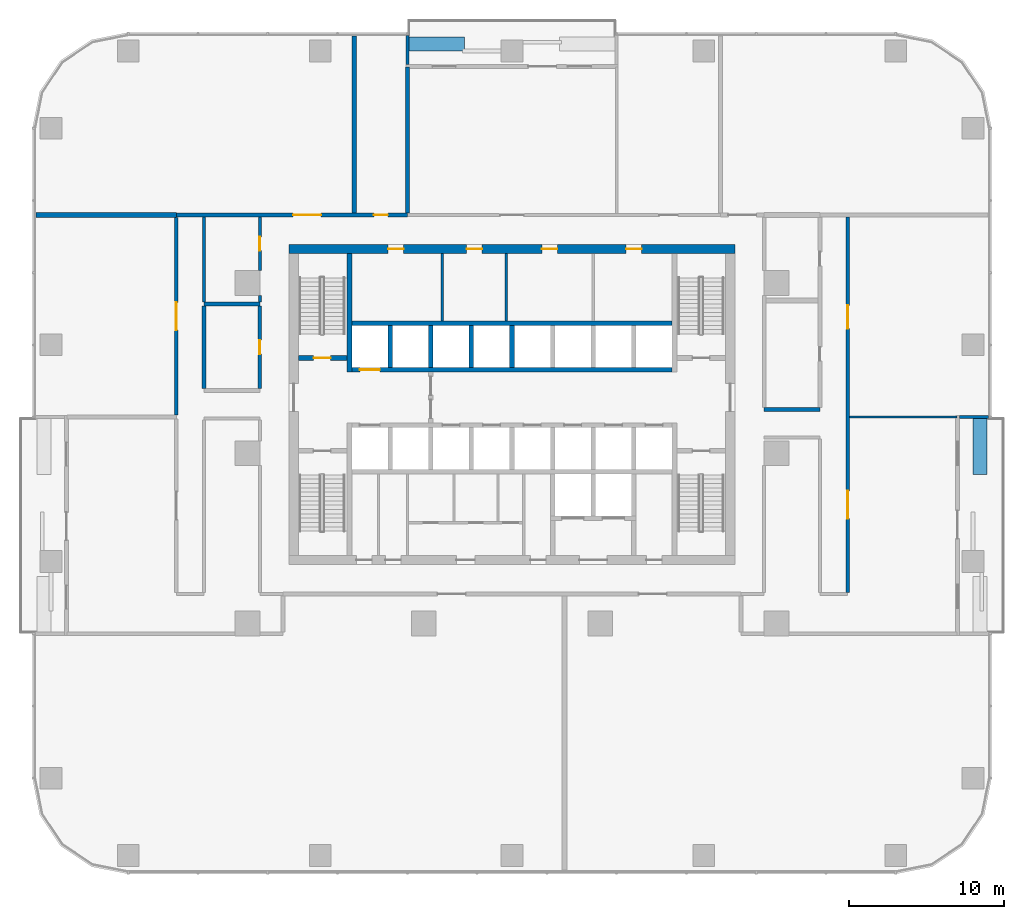
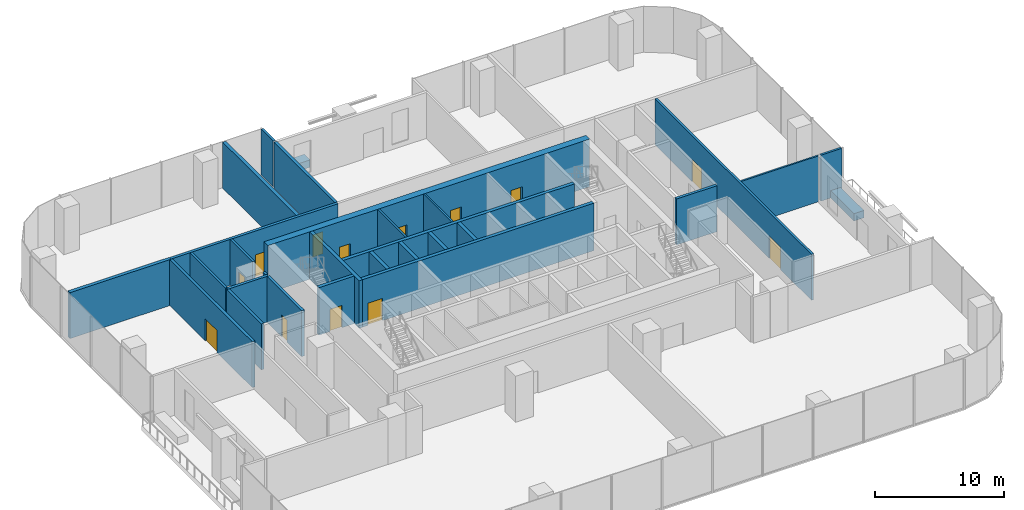
# One storey, part 9 of 14: 29 walls, 13 doors, 13 openings.
"""IFC4 building model written with IfcOpenShell, lengths in metres."""

from ifc_helpers import new_model, si_unit, direction, frame, frame_2d, origin, place, context, subcontext, project, spatial, rectangle, extrude, material, layer, layer_set, type_object, element, fill, save


model = new_model("IFC4")

# Units and contexts
model_context = context("Model", 3, precision=1e-05, world=origin(), true_north=direction((0.0, 1.0)))
body_context = subcontext(model_context, "Body", "Model", "MODEL_VIEW")
ifc_project = project(units=[si_unit("LENGTHUNIT", "METRE"), si_unit("AREAUNIT", "SQUARE_METRE"), si_unit("VOLUMEUNIT", "CUBIC_METRE"), si_unit("PLANEANGLEUNIT", "RADIAN"), si_unit("MASSUNIT", "GRAM", prefix="KILO")], contexts=[model_context])

# Site, building, storey
site_placement = place(None, origin())
site = spatial("IfcSite", under=ifc_project, at=site_placement, CompositionType="ELEMENT")
building_placement = place(site_placement, origin())
building = spatial("IfcBuilding", under=site, at=building_placement, Name="Mopane Tessera Tower", CompositionType="ELEMENT")
storey_placement = place(building_placement, frame((0.0, 0.0, 40.60009765625)))
storey = spatial("IfcBuildingStorey", under=building, at=storey_placement, Name="L07", CompositionType="ELEMENT", Elevation=40.60009765625)

# Walls
ifc_material_1 = material(Name="Fire-rated gypsum board partition")
ifc_layer_1 = layer(ifc_material_1, 0.14990234375)
ifc_layer_set_1 = layer_set([ifc_layer_1], Name="Fire-rated gypsum board partition")
wall_type_1 = type_object("IfcWallType", Name="Core room partition 150 mm", PredefinedType="PARTITIONING", material=ifc_layer_set_1)
for number, where, z_axis, x_axis, name in (
    (1, (-4.5, 8.550048828125, 0.0), (0.0, 0.0, 1.0), (0.0, 1.0, 0.0), "L07 Room partition"),
    (2, (-0.375, 8.550048828125, 0.0), (0.0, 0.0, 1.0), (0.0, 1.0, 0.0), "L07 Room partition"),
):
    element("IfcWall", number, at=place(storey_placement, frame(where, z_axis=z_axis, x_axis=x_axis)), inside=storey, type_object=wall_type_1, Name=name, PredefinedType="PARTITIONING", context=body_context, shape_type="SweptSolid", body=[
        extrude(rectangle(XDim=4.349853515625, YDim=0.14990234375, at=frame_2d((2.1748046875, 0.0))), origin(), (0.0, 0.0, 1.0), 4.5),
    ])

# Wall, openings, doors
ifc_material_2 = material(Name="Concrete C70/85", Category="concrete")
ifc_layer_2 = layer(ifc_material_2, 0.60009765625)
ifc_layer_set_2 = layer_set([ifc_layer_2], Name="Concrete C70/85")
wall_type_2 = type_object("IfcWallType", Name="Core shear wall 600 mm", PredefinedType="SHEAR", material=ifc_layer_set_2)
wall_1_placement = place(storey_placement, frame((-14.39990234375, 13.199951171875, 0.0), z_axis=(0.0, 0.0, 1.0), x_axis=(1.0, 0.0, 0.0)))
wall_1 = element("IfcWall", 3, at=wall_1_placement, inside=storey, type_object=wall_type_2, Name="L07 Core wall north", PredefinedType="SHEAR", context=body_context, shape_type="SweptSolid", body=[
    extrude(rectangle(XDim=28.7998046875, YDim=0.60009765625, at=frame_2d((14.39990234375, 0.0))), origin(), (0.0, 0.0, 1.0), 4.5),
])
opening_1_placement = place(wall_1_placement, frame((6.39990234375, 0.0, 0.0)))
opening_1 = element("IfcOpeningElement", 4, at=opening_1_placement, cuts=wall_1, Name="Opening RD1", PredefinedType="OPENING", context=body_context, shape_type="SweptSolid", body=[
    extrude(rectangle(XDim=1.0, YDim=2.10009765625, at=frame_2d((0.5, 1.050048828125))), frame((0.0, 0.31201171875, 0.0), z_axis=(0.0, -1.0, 0.0), x_axis=(1.0, 0.0, 0.0)), (0.0, 0.0, 1.0), 0.6240234375),
])
opening_2_placement = place(wall_1_placement, frame((11.46240234375, 0.0, 0.0)))
opening_2 = element("IfcOpeningElement", 5, at=opening_2_placement, cuts=wall_1, Name="Opening RD1", PredefinedType="OPENING", context=body_context, shape_type="SweptSolid", body=[
    extrude(rectangle(XDim=1.0, YDim=2.10009765625, at=frame_2d((0.5, 1.050048828125))), frame((0.0, 0.31201171875, 0.0), z_axis=(0.0, -1.0, 0.0), x_axis=(1.0, 0.0, 0.0)), (0.0, 0.0, 1.0), 0.6240234375),
])
opening_3_placement = place(wall_1_placement, frame((16.33740234375, 0.0, 0.0)))
opening_3 = element("IfcOpeningElement", 6, at=opening_3_placement, cuts=wall_1, Name="Opening RD1", PredefinedType="OPENING", context=body_context, shape_type="SweptSolid", body=[
    extrude(rectangle(XDim=1.0, YDim=2.10009765625, at=frame_2d((0.5, 1.050048828125))), frame((0.0, 0.31201171875, 0.0), z_axis=(0.0, -1.0, 0.0), x_axis=(1.0, 0.0, 0.0)), (0.0, 0.0, 1.0), 0.6240234375),
])
opening_4_placement = place(wall_1_placement, frame((21.77490234375, 0.0, 0.0)))
opening_4 = element("IfcOpeningElement", 7, at=opening_4_placement, cuts=wall_1, Name="Opening RD1", PredefinedType="OPENING", context=body_context, shape_type="SweptSolid", body=[
    extrude(rectangle(XDim=1.0, YDim=2.10009765625, at=frame_2d((0.5, 1.050048828125))), frame((0.0, 0.31201171875, 0.0), z_axis=(0.0, -1.0, 0.0), x_axis=(1.0, 0.0, 0.0)), (0.0, 0.0, 1.0), 0.6240234375),
])
ifc_material_3 = material(Name="Timber door", Category="wood")
door_type_1 = type_object("IfcDoorType", Name="Core room door 1000 x 2100", OperationType="SINGLE_SWING_LEFT", PredefinedType="DOOR", material=ifc_material_3)
door_1_placement = place(opening_1_placement, origin())
door_1 = element("IfcDoor", 8, at=door_1_placement, inside=storey, type_object=door_type_1, Name="L07 Room door", OperationType="SINGLE_SWING_LEFT", OverallHeight=2.10009765625, OverallWidth=1.0, PredefinedType="DOOR", context=body_context, shape_type="SweptSolid", body=[
    extrude(rectangle(XDim=1.0, YDim=2.10009765625, at=frame_2d((0.5, 1.050048828125))), frame((0.0, 0.02490234375, 0.0), z_axis=(0.0, -1.0, 0.0), x_axis=(1.0, 0.0, 0.0)), (0.0, 0.0, 1.0), 0.050048828125),
])
fill(opening_1, door_1)
door_2_placement = place(opening_2_placement, origin())
door_2 = element("IfcDoor", 9, at=door_2_placement, inside=storey, type_object=door_type_1, Name="L07 Room door", OperationType="SINGLE_SWING_LEFT", OverallHeight=2.10009765625, OverallWidth=1.0, PredefinedType="DOOR", context=body_context, shape_type="SweptSolid", body=[
    extrude(rectangle(XDim=1.0, YDim=2.10009765625, at=frame_2d((0.5, 1.050048828125))), frame((0.0, 0.02490234375, 0.0), z_axis=(0.0, -1.0, 0.0), x_axis=(1.0, 0.0, 0.0)), (0.0, 0.0, 1.0), 0.050048828125),
])
fill(opening_2, door_2)
door_3_placement = place(opening_3_placement, origin())
door_3 = element("IfcDoor", 10, at=door_3_placement, inside=storey, type_object=door_type_1, Name="L07 Room door", OperationType="SINGLE_SWING_LEFT", OverallHeight=2.10009765625, OverallWidth=1.0, PredefinedType="DOOR", context=body_context, shape_type="SweptSolid", body=[
    extrude(rectangle(XDim=1.0, YDim=2.10009765625, at=frame_2d((0.5, 1.050048828125))), frame((0.0, 0.02490234375, 0.0), z_axis=(0.0, -1.0, 0.0), x_axis=(1.0, 0.0, 0.0)), (0.0, 0.0, 1.0), 0.050048828125),
])
fill(opening_3, door_3)
door_4_placement = place(opening_4_placement, origin())
door_4 = element("IfcDoor", 11, at=door_4_placement, inside=storey, type_object=door_type_1, Name="L07 Room door", OperationType="SINGLE_SWING_LEFT", OverallHeight=2.10009765625, OverallWidth=1.0, PredefinedType="DOOR", context=body_context, shape_type="SweptSolid", body=[
    extrude(rectangle(XDim=1.0, YDim=2.10009765625, at=frame_2d((0.5, 1.050048828125))), frame((0.0, 0.02490234375, 0.0), z_axis=(0.0, -1.0, 0.0), x_axis=(1.0, 0.0, 0.0)), (0.0, 0.0, 1.0), 0.050048828125),
])
fill(opening_4, door_4)

# Walls
ifc_material_4 = material(Name="Concrete C60/75", Category="concrete")
ifc_layer_3 = layer(ifc_material_4, 0.300048828125)
ifc_layer_set_3 = layer_set([ifc_layer_3], Name="Concrete C60/75")
wall_type_3 = type_object("IfcWallType", Name="Core spine wall 300 mm", PredefinedType="SHEAR", material=ifc_layer_set_3)
wall_2_placement = place(storey_placement, frame((-10.5, 5.25, 0.0), z_axis=(0.0, 0.0, 1.0), x_axis=(0.0, 1.0, 0.0)))
element("IfcWall", 12, at=wall_2_placement, inside=storey, type_object=wall_type_3, Name="L07 Core spine wall", PredefinedType="SHEAR", context=body_context, shape_type="SweptSolid", body=[
    extrude(rectangle(XDim=7.64990234375, YDim=0.300048828125, at=frame_2d((3.824951171875, 0.0))), origin(), (0.0, 0.0, 1.0), 4.5),
])
ifc_material_5 = material(Name="Gypsum board on steel studs, two layers each face, mineral wool infill", Category="steel")
ifc_layer_4 = layer(ifc_material_5, 0.199951171875)
ifc_layer_set_4 = layer_set([ifc_layer_4], Name="Gypsum board on steel studs, two layers each face, mineral wool infill")
wall_type_4 = type_object("IfcWallType", Name="Gypsum board corridor wall 200, rated EI 60", PredefinedType="PARTITIONING", material=ifc_layer_set_4)
wall_3_placement = place(storey_placement, frame((-19.89990234375, 9.780029296875, 0.0), z_axis=(0.0, 0.0, 1.0), x_axis=(0.0, 1.0, 0.0)))
element("IfcWall", 13, at=wall_3_placement, inside=storey, type_object=wall_type_4, Name="Partition L07:026", PredefinedType="PARTITIONING", context=body_context, shape_type="SweptSolid", body=[
    extrude(rectangle(XDim=5.494873046875, YDim=0.199951171875, at=frame_2d((2.74755859375, 0.0))), origin(), (0.0, 0.0, 1.0), 4.349853515625),
])
wall_4_placement = place(storey_placement, frame((-16.300048828125, 9.780029296875, 0.0), z_axis=(0.0, 0.0, 1.0), x_axis=(0.0, 1.0, 0.0)))
element("IfcWall", 14, at=wall_4_placement, inside=storey, type_object=wall_type_4, Name="Partition L07:030", PredefinedType="PARTITIONING", context=body_context, shape_type="SweptSolid", body=[
    extrude(rectangle(XDim=0.419921875, YDim=0.199951171875, at=frame_2d((0.2099609375, 0.0))), origin(), (0.0, 0.0, 1.0), 4.349853515625),
])

# Wall, opening, door
wall_5_placement = place(storey_placement, frame((-16.300048828125, 11.800048828125, 0.0), z_axis=(0.0, 0.0, 1.0), x_axis=(0.0, 1.0, 0.0)))
wall_5 = element("IfcWall", 15, at=wall_5_placement, inside=storey, type_object=wall_type_4, Name="Partition L07:031", PredefinedType="PARTITIONING", context=body_context, shape_type="SweptSolid", body=[
    extrude(rectangle(XDim=3.474853515625, YDim=0.199951171875, at=frame_2d((1.7373046875, 0.0))), origin(), (0.0, 0.0, 1.0), 4.349853515625),
])
opening_5_placement = place(wall_5_placement, frame((1.28759765625, 0.0, 0.0)))
opening_5 = element("IfcOpeningElement", 16, at=opening_5_placement, cuts=wall_5, Name="Opening L07-14", PredefinedType="OPENING", context=body_context, shape_type="SweptSolid", body=[
    extrude(rectangle(XDim=0.89990234375, YDim=2.10009765625, at=frame_2d((0.449951171875, 1.050048828125))), frame((0.0, 0.112060546875, 0.0), z_axis=(0.0, -1.0, 0.0), x_axis=(1.0, 0.0, 0.0)), (0.0, 0.0, 1.0), 0.223876953125),
])
ifc_material_6 = material(Name="Timber veneered steel-framed fire door", Category="steel")
door_type_2 = type_object("IfcDoorType", Name="Fire door FD60 900 x 2100", OperationType="SINGLE_SWING_LEFT", PredefinedType="DOOR", material=ifc_material_6)
door_5_placement = place(opening_5_placement, origin())
door_5 = element("IfcDoor", 17, at=door_5_placement, inside=storey, type_object=door_type_2, Name="Door L07-14", ObjectType="D10A", OperationType="SINGLE_SWING_LEFT", OverallHeight=2.10009765625, OverallWidth=0.89990234375, PredefinedType="DOOR", context=body_context, shape_type="SweptSolid", body=[
    extrude(rectangle(XDim=0.89990234375, YDim=2.10009765625, at=frame_2d((0.449951171875, 1.050048828125))), frame((0.0, 0.02490234375, 0.0), z_axis=(0.0, -1.0, 0.0), x_axis=(1.0, 0.0, 0.0)), (0.0, 0.0, 1.0), 0.050048828125),
])
fill(opening_5, door_5)

# Wall, openings, doors
wall_6_placement = place(storey_placement, frame((21.699951171875, -9.0, 0.0), z_axis=(0.0, 0.0, 1.0), x_axis=(0.0, 1.0, 0.0)))
wall_6 = element("IfcWall", 18, at=wall_6_placement, inside=storey, type_object=wall_type_4, Name="Partition L07:045", PredefinedType="PARTITIONING", context=body_context, shape_type="SweptSolid", body=[
    extrude(rectangle(XDim=24.27490234375, YDim=0.199951171875, at=frame_2d((12.137451171875, 0.0))), origin(), (0.0, 0.0, 1.0), 4.349853515625),
])
opening_6_placement = place(wall_6_placement, frame((4.767578125, 0.0, 0.0)))
opening_6 = element("IfcOpeningElement", 19, at=opening_6_placement, cuts=wall_6, Name="Opening L07-05", PredefinedType="OPENING", context=body_context, shape_type="SweptSolid", body=[
    extrude(rectangle(XDim=1.800048828125, YDim=2.10009765625, at=frame_2d((0.89990234375, 1.050048828125))), frame((0.0, 0.112060546875, 0.0), z_axis=(0.0, -1.0, 0.0), x_axis=(1.0, 0.0, 0.0)), (0.0, 0.0, 1.0), 0.223876953125),
])
opening_7_placement = place(wall_6_placement, frame((17.054931640625, 0.0, 0.0)))
opening_7 = element("IfcOpeningElement", 20, at=opening_7_placement, cuts=wall_6, Name="Opening L07-06", PredefinedType="OPENING", context=body_context, shape_type="SweptSolid", body=[
    extrude(rectangle(XDim=1.5, YDim=2.10009765625, at=frame_2d((0.75, 1.050048828125))), frame((0.0, 0.112060546875, 0.0), z_axis=(0.0, -1.0, 0.0), x_axis=(1.0, 0.0, 0.0)), (0.0, 0.0, 1.0), 0.223876953125),
])
ifc_material_7 = material(Name="Timber veneered steel-framed fire door", Category="steel")
door_type_3 = type_object("IfcDoorType", Name="Fire door pair FD60 1500 x 2100", OperationType="DOUBLE_DOOR_SINGLE_SWING", PredefinedType="DOOR", material=ifc_material_7)
door_6_placement = place(opening_7_placement, origin())
door_6 = element("IfcDoor", 21, at=door_6_placement, inside=storey, type_object=door_type_3, Name="Door L07-06", ObjectType="D17A", OperationType="DOUBLE_DOOR_SINGLE_SWING", OverallHeight=2.10009765625, OverallWidth=1.5, PredefinedType="DOOR", context=body_context, shape_type="SweptSolid", body=[
    extrude(rectangle(XDim=1.5, YDim=2.10009765625, at=frame_2d((0.75, 1.050048828125))), frame((0.0, 0.02490234375, 0.0), z_axis=(0.0, -1.0, 0.0), x_axis=(1.0, 0.0, 0.0)), (0.0, 0.0, 1.0), 0.050048828125),
])
fill(opening_7, door_6)
ifc_material_8 = material(Name="Timber veneered steel-framed fire door", Category="steel")
door_type_4 = type_object("IfcDoorType", Name="Fire door pair FD60 1800 x 2100", OperationType="DOUBLE_DOOR_SINGLE_SWING", PredefinedType="DOOR", material=ifc_material_8)
door_7_placement = place(opening_6_placement, origin())
door_7 = element("IfcDoor", 22, at=door_7_placement, inside=storey, type_object=door_type_4, Name="Door L07-05", ObjectType="D20A", OperationType="DOUBLE_DOOR_SINGLE_SWING", OverallHeight=2.10009765625, OverallWidth=1.800048828125, PredefinedType="DOOR", context=body_context, shape_type="SweptSolid", body=[
    extrude(rectangle(XDim=1.800048828125, YDim=2.10009765625, at=frame_2d((0.89990234375, 1.050048828125))), frame((0.0, 0.02490234375, 0.0), z_axis=(0.0, -1.0, 0.0), x_axis=(1.0, 0.0, 0.0)), (0.0, 0.0, 1.0), 0.050048828125),
])
fill(opening_6, door_7)

# Wall
ifc_material_9 = material(Name="Gypsum board on steel studs, mineral wool infill", Category="steel")
ifc_layer_5 = layer(ifc_material_9, 0.14990234375)
ifc_layer_set_5 = layer_set([ifc_layer_5], Name="Gypsum board on steel studs, mineral wool infill")
wall_type_5 = type_object("IfcWallType", Name="Gypsum board partition 150, rated EI 60", PredefinedType="PARTITIONING", material=ifc_layer_set_5)
wall_7_placement = place(storey_placement, frame((21.800048828125, 2.3349609375, 0.0), z_axis=(0.0, 0.0, 1.0), x_axis=(1.0, 0.0, 0.0)))
element("IfcWall", 23, at=wall_7_placement, inside=storey, type_object=wall_type_5, Name="Partition L07:011", PredefinedType="PARTITIONING", context=body_context, shape_type="SweptSolid", body=[
    extrude(rectangle(XDim=6.949951171875, YDim=0.14990234375, at=frame_2d((3.47509765625, 0.0))), origin(), (0.0, 0.0, 1.0), 4.349853515625),
])

# Wall, opening, door
ifc_material_10 = material(Name="Concrete C50/60", Category="concrete")
ifc_layer_6 = layer(ifc_material_10, 0.300048828125)
ifc_layer_set_6 = layer_set([ifc_layer_6], Name="Concrete C50/60")
wall_type_6 = type_object("IfcWallType", Name="Lift and stair shaft wall 300 mm", PredefinedType="SOLIDWALL", material=ifc_layer_set_6)
wall_8_placement = place(storey_placement, frame((-13.800048828125, 6.14990234375, 0.0), z_axis=(0.0, 0.0, 1.0), x_axis=(1.0, 0.0, 0.0)))
wall_8 = element("IfcWall", 24, at=wall_8_placement, inside=storey, type_object=wall_type_6, Name="L07 Stair enclosure wall", PredefinedType="SOLIDWALL", context=body_context, shape_type="SweptSolid", body=[
    extrude(rectangle(XDim=3.150146484375, YDim=0.300048828125, at=frame_2d((1.5751953125, 0.0))), origin(), (0.0, 0.0, 1.0), 4.5),
])
opening_8_placement = place(wall_8_placement, frame((0.97509765625, 0.0, 0.0)))
opening_8 = element("IfcOpeningElement", 25, at=opening_8_placement, cuts=wall_8, Name="Opening SD1", PredefinedType="OPENING", context=body_context, shape_type="SweptSolid", body=[
    extrude(rectangle(XDim=1.10009765625, YDim=2.10009765625, at=frame_2d((0.550048828125, 1.050048828125))), frame((0.0, 0.162109375, 0.0), z_axis=(0.0, -1.0, 0.0), x_axis=(1.0, 0.0, 0.0)), (0.0, 0.0, 1.0), 0.323974609375),
])
ifc_material_11 = material(Name="Steel fire door", Category="steel")
door_type_5 = type_object("IfcDoorType", Name="Stair fire door 1100 x 2100", OperationType="SINGLE_SWING_LEFT", PredefinedType="DOOR", material=ifc_material_11)
door_8_placement = place(opening_8_placement, origin())
door_8 = element("IfcDoor", 26, at=door_8_placement, inside=storey, type_object=door_type_5, Name="L07 Stair door ST2", OperationType="SINGLE_SWING_LEFT", OverallHeight=2.10009765625, OverallWidth=1.10009765625, PredefinedType="DOOR", context=body_context, shape_type="SweptSolid", body=[
    extrude(rectangle(XDim=1.10009765625, YDim=2.10009765625, at=frame_2d((0.550048828125, 1.050048828125))), frame((0.0, 0.02490234375, 0.0), z_axis=(0.0, -1.0, 0.0), x_axis=(1.0, 0.0, 0.0)), (0.0, 0.0, 1.0), 0.050048828125),
])
fill(opening_8, door_8)

wall_9_placement = place(storey_placement, frame((-10.35009765625, 5.39990234375, 0.0), z_axis=(0.0, 0.0, 1.0), x_axis=(1.0, 0.0, 0.0)))
wall_9 = element("IfcWall", 27, at=wall_9_placement, inside=storey, type_object=wall_type_6, Name="L07 Lift shaft front wall", PredefinedType="SOLIDWALL", context=body_context, shape_type="SweptSolid", body=[
    extrude(rectangle(XDim=20.7001953125, YDim=0.300048828125, at=frame_2d((10.35009765625, 0.0))), origin(), (0.0, 0.0, 1.0), 4.5),
])
opening_9_placement = place(wall_9_placement, frame((0.512451171875, 0.0, 0.0)))
opening_9 = element("IfcOpeningElement", 28, at=opening_9_placement, cuts=wall_9, Name="Opening LD2", PredefinedType="OPENING", context=body_context, shape_type="SweptSolid", body=[
    extrude(rectangle(XDim=1.300048828125, YDim=2.10009765625, at=frame_2d((0.64990234375, 1.050048828125))), frame((0.0, 0.162109375, 0.0), z_axis=(0.0, -1.0, 0.0), x_axis=(1.0, 0.0, 0.0)), (0.0, 0.0, 1.0), 0.323974609375),
])
ifc_material_12 = material(Name="Stainless steel sliding door", Category="steel")
door_type_6 = type_object("IfcDoorType", Name="Fire-fighting lift landing door 1300 x 2100", OperationType="DOUBLE_DOOR_SLIDING", PredefinedType="DOOR", material=ifc_material_12)
door_9_placement = place(opening_9_placement, origin())
door_9 = element("IfcDoor", 29, at=door_9_placement, inside=storey, type_object=door_type_6, Name="L07 Lift landing door FF2", OperationType="DOUBLE_DOOR_SLIDING", OverallHeight=2.10009765625, OverallWidth=1.300048828125, PredefinedType="DOOR", context=body_context, shape_type="SweptSolid", body=[
    extrude(rectangle(XDim=1.300048828125, YDim=2.10009765625, at=frame_2d((0.64990234375, 1.050048828125))), frame((0.0, 0.02490234375, 0.0), z_axis=(0.0, -1.0, 0.0), x_axis=(1.0, 0.0, 0.0)), (0.0, 0.0, 1.0), 0.050048828125),
])
fill(opening_9, door_9)

# Walls
wall_10_placement = place(storey_placement, frame((-10.35009765625, 8.39990234375, 0.0), z_axis=(0.0, 0.0, 1.0), x_axis=(1.0, 0.0, 0.0)))
element("IfcWall", 30, at=wall_10_placement, inside=storey, type_object=wall_type_6, Name="L07 Lift shaft rear wall", PredefinedType="SOLIDWALL", context=body_context, shape_type="SweptSolid", body=[
    extrude(rectangle(XDim=20.7001953125, YDim=0.300048828125, at=frame_2d((10.35009765625, 0.0))), origin(), (0.0, 0.0, 1.0), 4.5),
])
for number, where, z_axis, x_axis, name in (
    (31, (-7.875, 5.550048828125, 0.0), (0.0, 0.0, 1.0), (0.0, 1.0, 0.0), "L07 Lift shaft wall"),
    (32, (-5.25, 5.550048828125, 0.0), (0.0, 0.0, 1.0), (0.0, 1.0, 0.0), "L07 Lift shaft wall"),
    (33, (-2.625, 5.550048828125, 0.0), (0.0, 0.0, 1.0), (0.0, 1.0, 0.0), "L07 Lift shaft wall"),
    (34, (0.0, 5.550048828125, 0.0), (0.0, 0.0, 1.0), (0.0, 1.0, 0.0), "L07 Lift shaft wall"),
):
    element("IfcWall", number, at=place(storey_placement, frame(where, z_axis=z_axis, x_axis=x_axis)), inside=storey, type_object=wall_type_6, Name=name, PredefinedType="SOLIDWALL", context=body_context, shape_type="SweptSolid", body=[
        extrude(rectangle(XDim=2.699951171875, YDim=0.300048828125, at=frame_2d((1.35009765625, 0.0))), origin(), (0.0, 0.0, 1.0), 4.5),
    ])
ifc_material_13 = material(Name="Reinforced concrete C32/40 with waterproofing", Category="concrete")
ifc_layer_7 = layer(ifc_material_13, 0.89990234375)
ifc_layer_set_7 = layer_set([ifc_layer_7], Name="Reinforced concrete C32/40 with waterproofing")
wall_type_7 = type_object("IfcWallType", Name="Planter trough 3600 x 900", PredefinedType="STANDARD", material=ifc_layer_set_7)
wall_11_placement = place(storey_placement, frame((30.25, -1.36669921875, 0.0), z_axis=(0.0, 0.0, 1.0), x_axis=(0.0, 1.0, 0.0)))
element("IfcWall", 35, at=wall_11_placement, inside=storey, type_object=wall_type_7, Name="e:nw:L07:N1:pl1", PredefinedType="STANDARD", context=body_context, shape_type="SweptSolid", body=[
    extrude(rectangle(XDim=3.60009765625, YDim=0.89990234375, at=frame_2d((1.800048828125, 0.0))), origin(), (0.0, 0.0, 1.0), 0.699951171875),
])
wall_12_placement = place(storey_placement, frame((-3.063720703125, 26.449951171875, 0.0), z_axis=(0.0, 0.0, 1.0), x_axis=(-1.0, 0.0, 0.0)))
element("IfcWall", 36, at=wall_12_placement, inside=storey, type_object=wall_type_7, Name="e:nw:L07:N2:pl1", PredefinedType="STANDARD", context=body_context, shape_type="SweptSolid", body=[
    extrude(rectangle(XDim=3.599853515625, YDim=0.89990234375, at=frame_2d((1.7998046875, 0.0))), origin(), (0.0, 0.0, 1.0), 0.699951171875),
])
ifc_material_14 = material(Name="Plastered concrete blockwork C20/25", Category="masonry")
ifc_layer_8 = layer(ifc_material_14, 0.300048828125)
ifc_layer_set_8 = layer_set([ifc_layer_8], Name="Plastered concrete blockwork C20/25")
wall_type_8 = type_object("IfcWallType", Name="Plastered blockwork separation wall 300, rated EI 120", PredefinedType="PARTITIONING", material=ifc_layer_set_8)
wall_13_placement = place(storey_placement, frame((-30.75, 15.39990234375, 0.0), z_axis=(0.0, 0.0, 1.0), x_axis=(1.0, 0.0, 0.0)))
element("IfcWall", 37, at=wall_13_placement, inside=storey, type_object=wall_type_8, Name="Partition L07:021", PredefinedType="PARTITIONING", context=body_context, shape_type="SweptSolid", body=[
    extrude(rectangle(XDim=9.050048828125, YDim=0.300048828125, at=frame_2d((4.52490234375, 0.0))), origin(), (0.0, 0.0, 1.0), 4.349853515625),
])
wall_14_placement = place(storey_placement, frame((-10.18505859375, 15.52490234375, 0.0), z_axis=(0.0, 0.0, 1.0), x_axis=(0.0, 1.0, 0.0)))
element("IfcWall", 38, at=wall_14_placement, inside=storey, type_object=wall_type_8, Name="Partition L07:034", PredefinedType="PARTITIONING", context=body_context, shape_type="SweptSolid", body=[
    extrude(rectangle(XDim=11.425048828125, YDim=0.300048828125, at=frame_2d((5.71240234375, 0.0))), origin(), (0.0, 0.0, 1.0), 4.349853515625),
])
ifc_material_15 = material(Name="Plastered concrete blockwork C20/25", Category="masonry")
ifc_layer_9 = layer(ifc_material_15, 0.25)
ifc_layer_set_9 = layer_set([ifc_layer_9], Name="Plastered concrete blockwork C20/25")
wall_type_9 = type_object("IfcWallType", Name="Plastered blockwork wall 250, rated EI 120", PredefinedType="PARTITIONING", material=ifc_layer_set_9)
for number, where, z_axis, x_axis, name in (
    (39, (16.300048828125, 2.824951171875, 0.0), (0.0, 0.0, 1.0), (1.0, 0.0, 0.0), "Partition L07:013"),
    (40, (-19.89990234375, 9.655029296875, 0.0), (0.0, 0.0, 1.0), (1.0, 0.0, 0.0), "Partition L07:015"),
):
    element("IfcWall", number, at=place(storey_placement, frame(where, z_axis=z_axis, x_axis=x_axis)), inside=storey, type_object=wall_type_9, Name=name, PredefinedType="PARTITIONING", context=body_context, shape_type="SweptSolid", body=[
        extrude(rectangle(XDim=3.599853515625, YDim=0.25, at=frame_2d((1.7998046875, 0.0))), origin(), (0.0, 0.0, 1.0), 4.349853515625),
    ])

# Wall, openings, doors
wall_15_placement = place(storey_placement, frame((-21.699951171875, 15.39990234375, 0.0), z_axis=(0.0, 0.0, 1.0), x_axis=(1.0, 0.0, 0.0)))
wall_15 = element("IfcWall", 41, at=wall_15_placement, inside=storey, type_object=wall_type_9, Name="Partition L07:018", PredefinedType="PARTITIONING", context=body_context, shape_type="SweptSolid", body=[
    extrude(rectangle(XDim=14.93505859375, YDim=0.25, at=frame_2d((7.467529296875, 0.0))), origin(), (0.0, 0.0, 1.0), 4.349853515625),
])
opening_10_placement = place(wall_15_placement, frame((12.77490234375, 0.0, 0.0)))
opening_10 = element("IfcOpeningElement", 42, at=opening_10_placement, cuts=wall_15, Name="Opening L07-10", PredefinedType="OPENING", context=body_context, shape_type="SweptSolid", body=[
    extrude(rectangle(XDim=0.89990234375, YDim=2.10009765625, at=frame_2d((0.449951171875, 1.050048828125))), frame((0.0, 0.136962890625, 0.0), z_axis=(0.0, -1.0, 0.0), x_axis=(1.0, 0.0, 0.0)), (0.0, 0.0, 1.0), 0.27392578125),
])
opening_11_placement = place(wall_15_placement, frame((7.5576171875, 0.0, 0.0)))
opening_11 = element("IfcOpeningElement", 43, at=opening_11_placement, cuts=wall_15, Name="Opening L07-13", PredefinedType="OPENING", context=body_context, shape_type="SweptSolid", body=[
    extrude(rectangle(XDim=1.800048828125, YDim=2.10009765625, at=frame_2d((0.89990234375, 1.050048828125))), frame((0.0, 0.136962890625, 0.0), z_axis=(0.0, -1.0, 0.0), x_axis=(1.0, 0.0, 0.0)), (0.0, 0.0, 1.0), 0.27392578125),
])
ifc_material_16 = material(Name="Timber veneered steel-framed fire door", Category="steel")
door_type_7 = type_object("IfcDoorType", Name="Fire door FD120 900 x 2100", OperationType="SINGLE_SWING_LEFT", PredefinedType="DOOR", material=ifc_material_16)
door_10_placement = place(opening_10_placement, origin())
door_10 = element("IfcDoor", 44, at=door_10_placement, inside=storey, type_object=door_type_7, Name="Door L07-10", ObjectType="D10B", OperationType="SINGLE_SWING_RIGHT", OverallHeight=2.10009765625, OverallWidth=0.89990234375, PredefinedType="DOOR", context=body_context, shape_type="SweptSolid", body=[
    extrude(rectangle(XDim=0.89990234375, YDim=2.10009765625, at=frame_2d((0.449951171875, 1.050048828125))), frame((0.0, 0.02490234375, 0.0), z_axis=(0.0, -1.0, 0.0), x_axis=(1.0, 0.0, 0.0)), (0.0, 0.0, 1.0), 0.050048828125),
])
fill(opening_10, door_10)
ifc_material_17 = material(Name="Timber veneered steel-framed fire door", Category="steel")
door_type_8 = type_object("IfcDoorType", Name="Fire door pair FD120 1800 x 2100", OperationType="DOUBLE_DOOR_SINGLE_SWING", PredefinedType="DOOR", material=ifc_material_17)
door_11_placement = place(opening_11_placement, origin())
door_11 = element("IfcDoor", 45, at=door_11_placement, inside=storey, type_object=door_type_8, Name="Door L07-13", ObjectType="D20B", OperationType="DOUBLE_DOOR_SINGLE_SWING", OverallHeight=2.10009765625, OverallWidth=1.800048828125, PredefinedType="DOOR", context=body_context, shape_type="SweptSolid", body=[
    extrude(rectangle(XDim=1.800048828125, YDim=2.10009765625, at=frame_2d((0.89990234375, 1.050048828125))), frame((0.0, 0.02490234375, 0.0), z_axis=(0.0, -1.0, 0.0), x_axis=(1.0, 0.0, 0.0)), (0.0, 0.0, 1.0), 0.050048828125),
])
fill(opening_11, door_11)

# Wall, opening, door
wall_16_placement = place(storey_placement, frame((-21.699951171875, 2.4599609375, 0.0), z_axis=(0.0, 0.0, 1.0), x_axis=(0.0, 1.0, 0.0)))
wall_16 = element("IfcWall", 46, at=wall_16_placement, inside=storey, type_object=wall_type_9, Name="Partition L07:024", PredefinedType="PARTITIONING", context=body_context, shape_type="SweptSolid", body=[
    extrude(rectangle(XDim=12.7900390625, YDim=0.25, at=frame_2d((6.39501953125, 0.0))), origin(), (0.0, 0.0, 1.0), 4.349853515625),
])
opening_12_placement = place(wall_16_placement, frame((5.4951171875, 0.0, 0.0)))
opening_12 = element("IfcOpeningElement", 47, at=opening_12_placement, cuts=wall_16, Name="Opening L07-08", PredefinedType="OPENING", context=body_context, shape_type="SweptSolid", body=[
    extrude(rectangle(XDim=1.800048828125, YDim=2.10009765625, at=frame_2d((0.89990234375, 1.050048828125))), frame((0.0, 0.136962890625, 0.0), z_axis=(0.0, -1.0, 0.0), x_axis=(1.0, 0.0, 0.0)), (0.0, 0.0, 1.0), 0.27392578125),
])
door_12_placement = place(opening_12_placement, origin())
door_12 = element("IfcDoor", 48, at=door_12_placement, inside=storey, type_object=door_type_8, Name="Door L07-08", ObjectType="D20B", OperationType="DOUBLE_DOOR_SINGLE_SWING", OverallHeight=2.10009765625, OverallWidth=1.800048828125, PredefinedType="DOOR", context=body_context, shape_type="SweptSolid", body=[
    extrude(rectangle(XDim=1.800048828125, YDim=2.10009765625, at=frame_2d((0.89990234375, 1.050048828125))), frame((0.0, 0.02490234375, 0.0), z_axis=(0.0, -1.0, 0.0), x_axis=(1.0, 0.0, 0.0)), (0.0, 0.0, 1.0), 0.050048828125),
])
fill(opening_12, door_12)

# Wall
wall_17_placement = place(storey_placement, frame((-19.89990234375, 4.175048828125, 0.0), z_axis=(0.0, 0.0, 1.0), x_axis=(0.0, 1.0, 0.0)))
element("IfcWall", 49, at=wall_17_placement, inside=storey, type_object=wall_type_9, Name="Partition L07:027", PredefinedType="PARTITIONING", context=body_context, shape_type="SweptSolid", body=[
    extrude(rectangle(XDim=5.35498046875, YDim=0.25, at=frame_2d((2.677490234375, 0.0))), origin(), (0.0, 0.0, 1.0), 4.349853515625),
])

# Wall, opening, door
wall_18_placement = place(storey_placement, frame((-16.300048828125, 4.175048828125, 0.0), z_axis=(0.0, 0.0, 1.0), x_axis=(0.0, 1.0, 0.0)))
wall_18 = element("IfcWall", 50, at=wall_18_placement, inside=storey, type_object=wall_type_9, Name="Partition L07:032", PredefinedType="PARTITIONING", context=body_context, shape_type="SweptSolid", body=[
    extrude(rectangle(XDim=5.35498046875, YDim=0.25, at=frame_2d((2.677490234375, 0.0))), origin(), (0.0, 0.0, 1.0), 4.349853515625),
])
opening_13_placement = place(wall_18_placement, frame((2.2275390625, 0.0, 0.0)))
opening_13 = element("IfcOpeningElement", 51, at=opening_13_placement, cuts=wall_18, Name="Opening L07-01", PredefinedType="OPENING", context=body_context, shape_type="SweptSolid", body=[
    extrude(rectangle(XDim=0.89990234375, YDim=2.10009765625, at=frame_2d((0.449951171875, 1.050048828125))), frame((0.0, 0.136962890625, 0.0), z_axis=(0.0, -1.0, 0.0), x_axis=(1.0, 0.0, 0.0)), (0.0, 0.0, 1.0), 0.27392578125),
])
door_13_placement = place(opening_13_placement, origin())
door_13 = element("IfcDoor", 52, at=door_13_placement, inside=storey, type_object=door_type_7, Name="Door L07-01", ObjectType="D10B", OperationType="SINGLE_SWING_LEFT", OverallHeight=2.10009765625, OverallWidth=0.89990234375, PredefinedType="DOOR", context=body_context, shape_type="SweptSolid", body=[
    extrude(rectangle(XDim=0.89990234375, YDim=2.10009765625, at=frame_2d((0.449951171875, 1.050048828125))), frame((0.0, 0.02490234375, 0.0), z_axis=(0.0, -1.0, 0.0), x_axis=(1.0, 0.0, 0.0)), (0.0, 0.0, 1.0), 0.050048828125),
])
fill(opening_13, door_13)

# Walls
wall_19_placement = place(storey_placement, frame((-6.764892578125, 15.52490234375, 0.0), z_axis=(0.0, 0.0, 1.0), x_axis=(0.0, 1.0, 0.0)))
element("IfcWall", 53, at=wall_19_placement, inside=storey, type_object=wall_type_9, Name="Partition L07:035", PredefinedType="PARTITIONING", context=body_context, shape_type="SweptSolid", body=[
    extrude(rectangle(XDim=9.425048828125, YDim=0.25, at=frame_2d((4.71240234375, 0.0))), origin(), (0.0, 0.0, 1.0), 4.349853515625),
])
ifc_material_18 = material(Name="Blockwork with glazed tile facing", Category="masonry")
ifc_layer_10 = layer(ifc_material_18, 0.199951171875)
ifc_layer_set_10 = layer_set([ifc_layer_10], Name="Blockwork with glazed tile facing")
wall_type_10 = type_object("IfcWallType", Name="Terrace cheek wall 200", PredefinedType="STANDARD", material=ifc_layer_set_10)
for number, where, z_axis, x_axis, name in (
    (54, (30.800048828125, 2.333251953125, 0.0), (0.0, 0.0, 1.0), (-1.0, 0.0, 0.0), "e:nw:L07:N1:cheekb"),
    (55, (-6.763671875, 27.0, 0.0), (0.0, 0.0, 1.0), (0.0, -1.0, 0.0), "e:nw:L07:N2:cheekb"),
):
    element("IfcWall", number, at=place(storey_placement, frame(where, z_axis=z_axis, x_axis=x_axis)), inside=storey, type_object=wall_type_10, Name=name, PredefinedType="STANDARD", context=body_context, shape_type="SweptSolid", body=[
        extrude(rectangle(XDim=1.875, YDim=0.199951171875, at=frame_2d((0.9375, 0.0))), origin(), (0.0, 0.0, 1.0), 4.349853515625),
    ])

save(model, "model.ifc")
